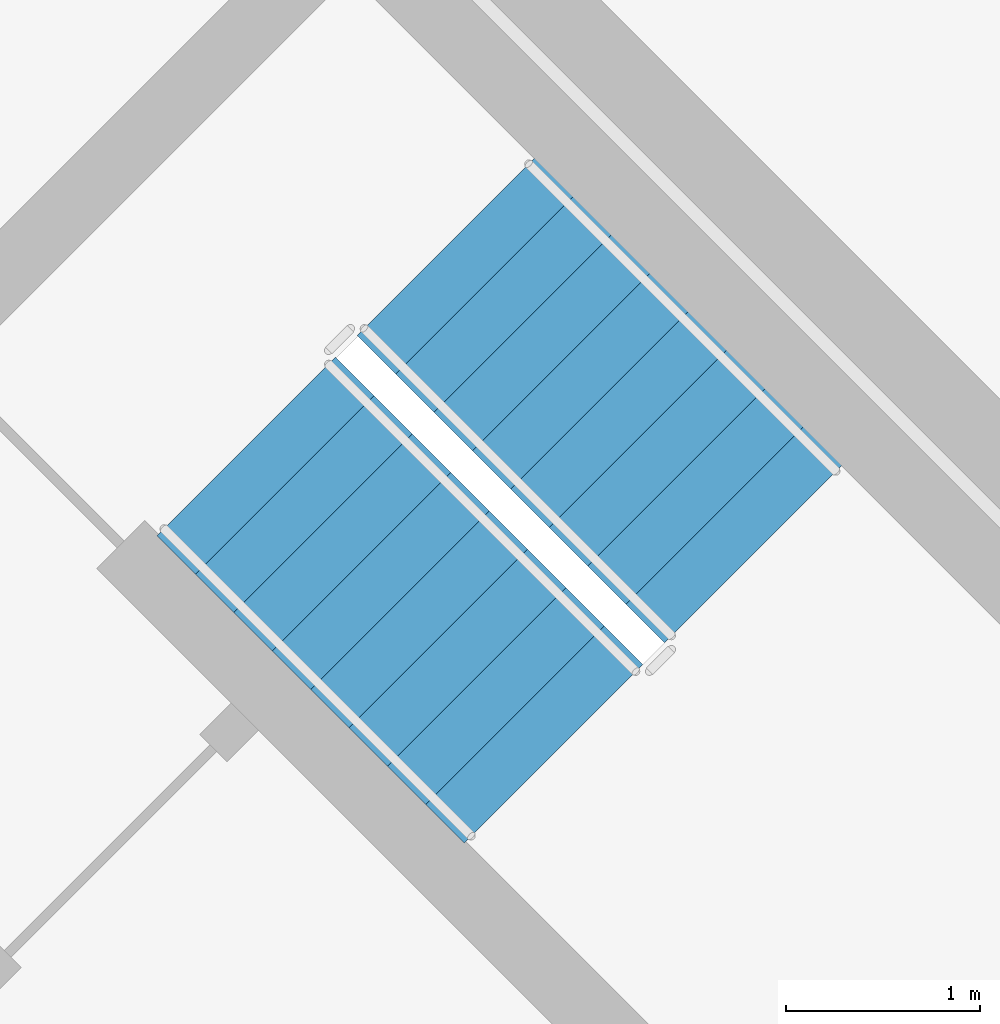
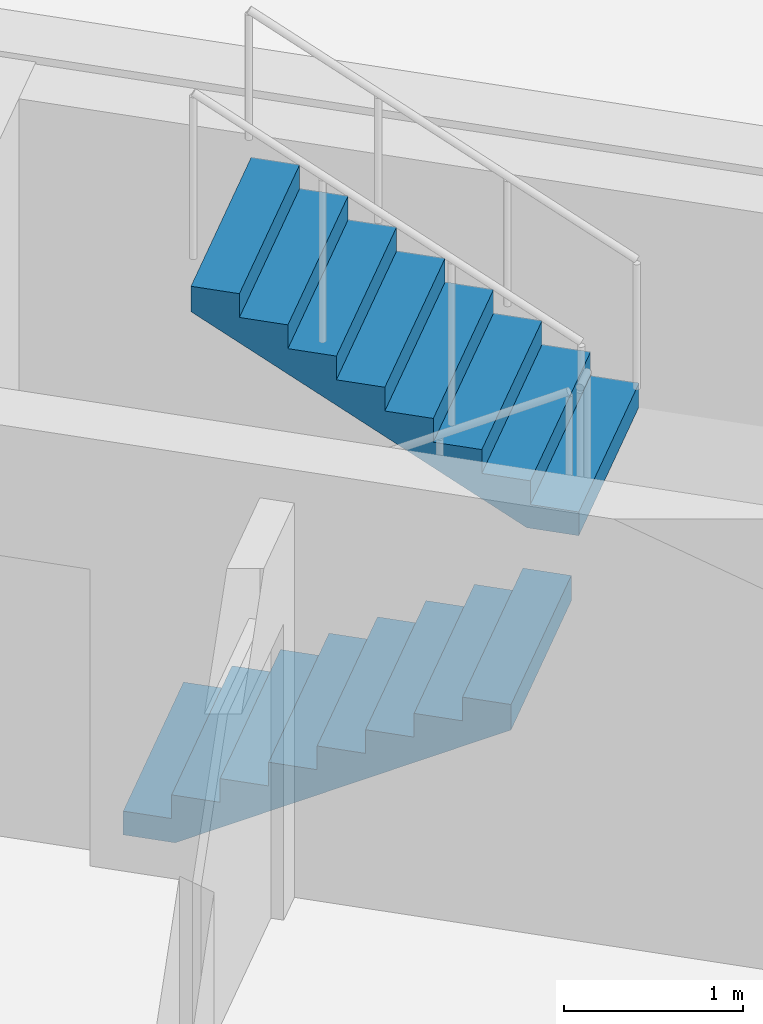
# One storey, part 13 of 16: 2 stair flights, 1 element without a shape of its own.
"""IFC4 building model written with IfcOpenShell, lengths in metres."""

from ifc_helpers import new_model, si_unit, direction, frame, origin, place, context, subcontext, project, spatial, polyline, outline, extrude, material, type_object, element, aggregate, save


model = new_model("IFC4")

# Units and contexts
model_context = context("Model", 3, precision=1e-05, world=origin(), true_north=direction((0.0, 1.0)))
body_context = subcontext(model_context, "Body", "Model", "MODEL_VIEW")
ifc_project = project(units=[si_unit("LENGTHUNIT", "METRE"), si_unit("AREAUNIT", "SQUARE_METRE"), si_unit("VOLUMEUNIT", "CUBIC_METRE"), si_unit("PLANEANGLEUNIT", "RADIAN"), si_unit("MASSUNIT", "GRAM", prefix="KILO")], contexts=[model_context])

# Site, building, storey
site_placement = place(None, origin())
site = spatial("IfcSite", under=ifc_project, at=site_placement, CompositionType="ELEMENT")
building_placement = place(site_placement, origin())
building = spatial("IfcBuilding", under=site, at=building_placement, Name="Cununo Teusaquillo Station Towers", CompositionType="ELEMENT")
storey_placement = place(building_placement, frame((0.0, 0.0, 217.030029296875)))
storey = spatial("IfcBuildingStorey", under=building, at=storey_placement, Name="L69", CompositionType="ELEMENT", Elevation=217.030029296875)

# Stair, stair flights
ifc_material_1 = material(Name="Concrete C50/60", Category="concrete")
stair_type = type_object("IfcStairType", Name="ST-TWR-1300", PredefinedType="HALF_TURN_STAIR", material=ifc_material_1)
stair_placement = place(storey_placement, origin())
stair = element("IfcStair", 1, at=stair_placement, inside=storey, type_object=stair_type, Name="L69 Tower B Protected Core Exit Stair 2", PredefinedType="HALF_TURN_STAIR")
ifc_material_2 = material(Name="Concrete C50/60", Category="concrete")
stair_flight_type = type_object("IfcStairFlightType", Name="SFL-TWR-1300", PredefinedType="STRAIGHT", material=ifc_material_2)
stair_flight_1_placement = place(storey_placement, frame((60.54052734375, 25.1787109375, 0.0), z_axis=(0.0, 0.0, 1.0), x_axis=(0.707106781187, -0.707106781187, 0.0)))
stair_flight_1 = element("IfcStairFlight", 2, at=stair_flight_1_placement, type_object=stair_flight_type, Name="ST-T2-2 flight 1", NumberOfRisers=9, NumberOfTreads=8, PredefinedType="STRAIGHT", RiserHeight=0.161666667, TreadLength=0.28, context=body_context, shape_type="SweptSolid", body=[
    extrude(outline(polyline([(0.0, 0.0), (0.0, 0.16162109375), (0.280029296875, 0.16162109375), (0.280029296875, 0.3232421875), (0.56005859375, 0.3232421875), (0.56005859375, 0.485107421875), (0.840087890625, 0.485107421875), (0.840087890625, 0.646728515625), (1.1201171875, 0.646728515625), (1.1201171875, 0.808349609375), (1.39990234375, 0.808349609375), (1.39990234375, 0.969970703125), (1.679931640625, 0.969970703125), (1.679931640625, 1.131591796875), (1.9599609375, 1.131591796875), (1.9599609375, 1.293212890625), (2.239990234375, 1.293212890625), (2.239990234375, 1.455078125), (2.239990234375, 1.1201171875), (0.2998046875, 0.0), (0.0, 0.0)])), frame((0.0, 0.64990234375, 0.0), z_axis=(0.0, -1.0, 0.0), x_axis=(1.0, 0.0, 0.0)), (0.0, 0.0, 1.0), 1.300048828125),
])
stair_flight_2_placement = place(storey_placement, frame((63.15673828125, 24.627197265625, 1.455078125), z_axis=(0.0, 0.0, 1.0), x_axis=(-0.707106781187, 0.707106781187, 0.0)))
stair_flight_2 = element("IfcStairFlight", 3, at=stair_flight_2_placement, type_object=stair_flight_type, Name="ST-T2-2 flight 2", NumberOfRisers=9, NumberOfTreads=8, PredefinedType="STRAIGHT", RiserHeight=0.161666667, TreadLength=0.28, context=body_context, shape_type="SweptSolid", body=[
    extrude(outline(polyline([(0.0, 0.0), (0.0, 0.16162109375), (0.280029296875, 0.16162109375), (0.280029296875, 0.3232421875), (0.56005859375, 0.3232421875), (0.56005859375, 0.485107421875), (0.840087890625, 0.485107421875), (0.840087890625, 0.646728515625), (1.1201171875, 0.646728515625), (1.1201171875, 0.808349609375), (1.39990234375, 0.808349609375), (1.39990234375, 0.969970703125), (1.679931640625, 0.969970703125), (1.679931640625, 1.131591796875), (1.9599609375, 1.131591796875), (1.9599609375, 1.293212890625), (2.239990234375, 1.293212890625), (2.239990234375, 1.455078125), (2.239990234375, 1.1201171875), (0.2998046875, 0.0), (0.0, 0.0)])), frame((0.0, 0.64990234375, 0.0), z_axis=(0.0, -1.0, 0.0), x_axis=(1.0, 0.0, 0.0)), (0.0, 0.0, 1.0), 1.300048828125),
])
aggregate(stair, [stair_flight_1, stair_flight_2])

save(model, "model.ifc")
